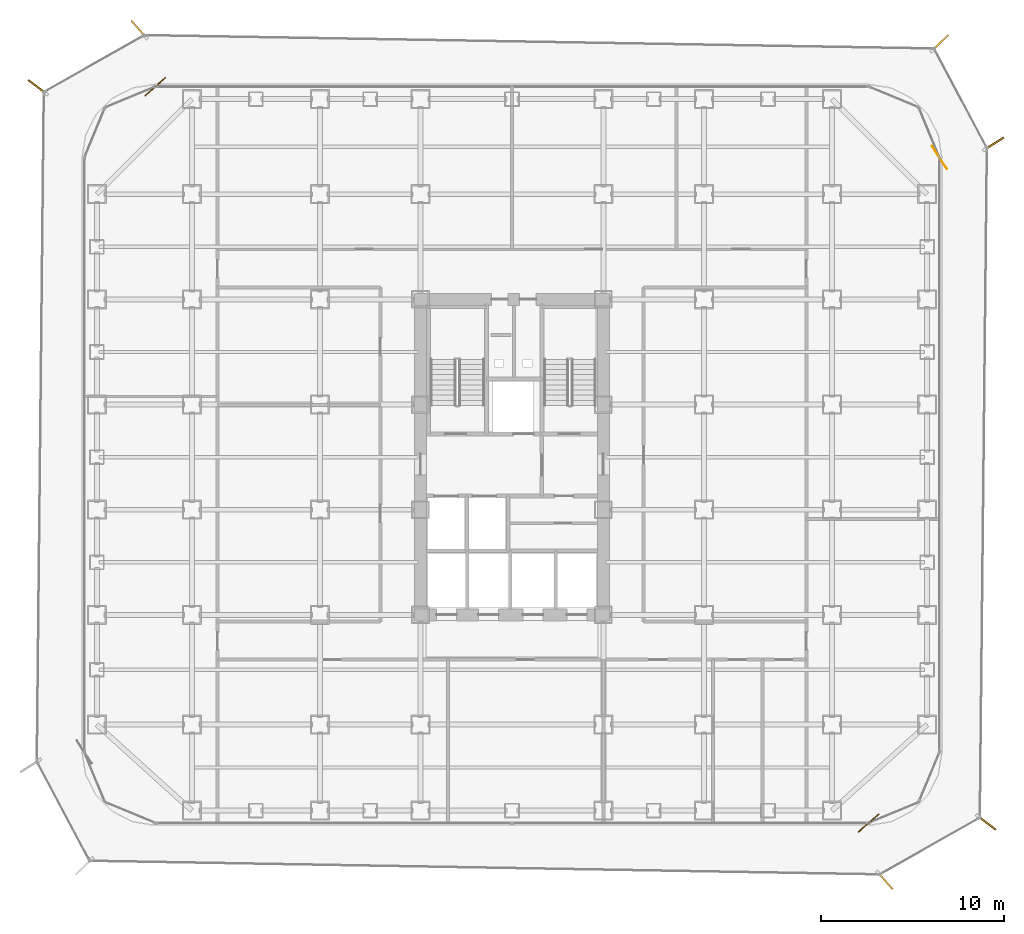
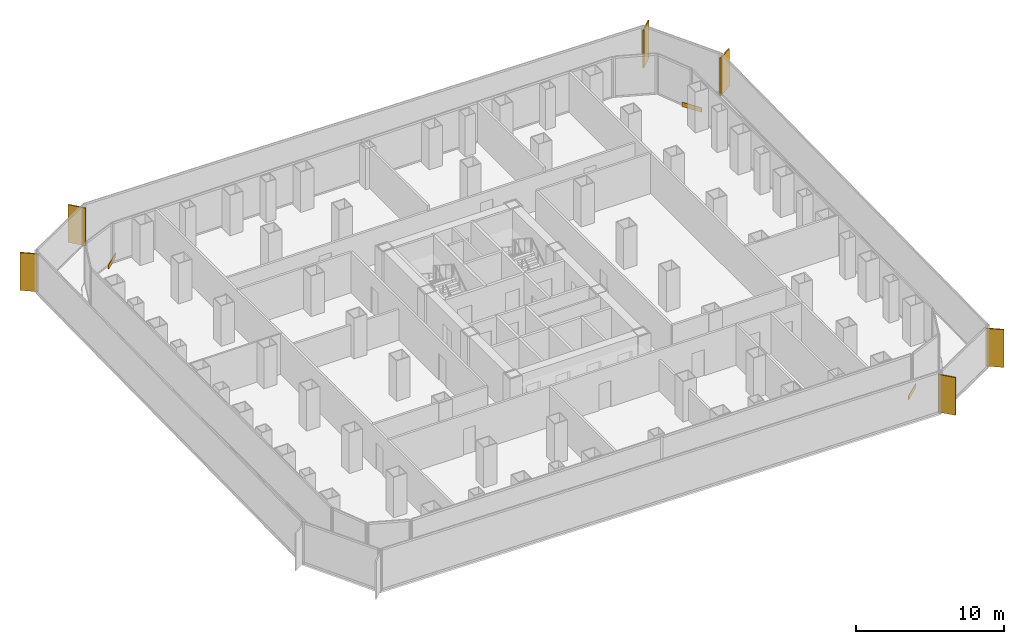
# One storey, part 21 of 21: 6 shading devices, 3 coverings.
"""IFC4 building model written with IfcOpenShell, lengths in metres."""

from ifc_helpers import new_model, si_unit, direction, frame, origin, origin_2d, place, context, subcontext, project, spatial, rectangle, extrude, source, transform, mapped, material, layer, layer_set, type_object, element, save


model = new_model("IFC4")

# Units and contexts
model_context = context("Model", 3, precision=1e-05, world=origin(), true_north=direction((0.0, 1.0)))
body_context = subcontext(model_context, "Body", "Model", "MODEL_VIEW")
ifc_project = project(units=[si_unit("LENGTHUNIT", "METRE"), si_unit("AREAUNIT", "SQUARE_METRE"), si_unit("VOLUMEUNIT", "CUBIC_METRE"), si_unit("PLANEANGLEUNIT", "RADIAN"), si_unit("MASSUNIT", "GRAM", prefix="KILO")], contexts=[model_context])

# Site, building, storey
site_placement = place(None, origin())
site = spatial("IfcSite", under=ifc_project, at=site_placement, CompositionType="ELEMENT")
building_placement = place(site_placement, origin())
building = spatial("IfcBuilding", under=site, at=building_placement, Name="Kolveth Station Tower", CompositionType="ELEMENT")
storey_placement = place(building_placement, frame((0.0, 0.0, 40.5)))
storey = spatial("IfcBuildingStorey", under=building, at=storey_placement, Name="L10", CompositionType="ELEMENT", Elevation=40.5)

# Shading devices
ifc_material_1 = material(Name="Black anodized aluminium 6063-T6", Category="aluminium")
shading_device_type = type_object("IfcShadingDeviceType", Name="FIN_VF1", PredefinedType="USERDEFINED", material=ifc_material_1)
shared_shape_1 = source(origin(), body_context, "Body", "SweptSolid", [
    extrude(rectangle(XDim=1.25, YDim=0.090087890625, at=origin_2d()), origin(), (0.0, 0.0, 1.0), 3.10009765625),
])
for number, where, z_axis, x_axis, name in (
    (1, (43.903076171875, -3.032958984375, 0.0), (0.0, 0.0, 1.0), (0.659083333334, -0.752069916777, 0.0), "L10 Dark-Aluminium Solar Fin 1"),
    (2, (49.444091796875, 0.138916015625, 0.0), (0.0, 0.0, 1.0), (0.790368909154, -0.612631200187, 0.0), "L10 Dark-Aluminium Solar Fin 2"),
    (3, (49.85302734375, 37.263916015625, 0.0), (0.0, 0.0, 1.0), (0.840093553899, 0.542441536663, 0.0), "L10 Dark-Aluminium Solar Fin 3"),
    (4, (46.908935546875, 42.77099609375, 0.0), (0.0, 0.0, 1.0), (0.720672122155, 0.693276057822, 0.0), "L10 Dark-Aluminium Solar Fin 4"),
    (5, (3.096923828125, 43.52587890625, 0.0), (0.0, 0.0, 1.0), (-0.659214584257, 0.751954873581, 0.0), "L10 Dark-Aluminium Solar Fin 5"),
    (6, (-2.444091796875, 40.361083984375, 0.0), (0.0, 0.0, 1.0), (-0.790368909154, 0.612631200187, 0.0), "L10 Dark-Aluminium Solar Fin 6"),
):
    element("IfcShadingDevice", number, at=place(storey_placement, frame(where, z_axis=z_axis, x_axis=x_axis)), inside=storey, type_object=shading_device_type, Name=name, ObjectType="FIN", PredefinedType="USERDEFINED", context=body_context, shape_type="MappedRepresentation", body=[
        mapped(shared_shape_1, transform((0.0, 0.0, 0.0), x_axis=(1.0, 0.0, 0.0), y_axis=(0.0, 1.0, 0.0), z_axis=(0.0, 0.0, 1.0), scale=1.0)),
    ])

# Coverings
ifc_material_2 = material(Name="Charcoal anodized aluminium spandrel cladding", Category="aluminium")
ifc_layer = layer(ifc_material_2, 0.044921875)
ifc_layer_set = layer_set([ifc_layer], Name="Charcoal anodized aluminium spandrel cladding")
covering_type = type_object("IfcCoveringType", Name="Clad_CD1", PredefinedType="CLADDING", material=ifc_layer_set)
shared_shape_2 = source(origin(), body_context, "Body", "SweptSolid", [
    extrude(rectangle(XDim=1.5, YDim=0.044921875, at=origin_2d()), origin(), (0.0, 0.0, 1.0), 0.360107421875),
])
for number, where, z_axis, x_axis, name in (
    (7, (43.0, 0.1201171875, 0.0), (0.0, 0.0, 1.0), (0.752069916777, 0.659083333334, 0.0), "L10 Spandrel Edge Cladding 1"),
    (8, (46.8798828125, 36.5, 0.0), (0.0, 0.0, 1.0), (-0.542441536663, 0.840093553899, 0.0), "L10 Spandrel Edge Cladding 3"),
    (9, (4.0, 40.3798828125, 0.0), (0.0, 0.0, 1.0), (-0.751954873581, -0.659214584257, 0.0), "L10 Spandrel Edge Cladding 5"),
):
    element("IfcCovering", number, at=place(storey_placement, frame(where, z_axis=z_axis, x_axis=x_axis)), inside=storey, type_object=covering_type, Name=name, PredefinedType="CLADDING", context=body_context, shape_type="MappedRepresentation", body=[
        mapped(shared_shape_2, transform((0.0, 0.0, 0.0), x_axis=(1.0, 0.0, 0.0), y_axis=(0.0, 1.0, 0.0), z_axis=(0.0, 0.0, 1.0), scale=1.0)),
    ])

save(model, "model.ifc")
